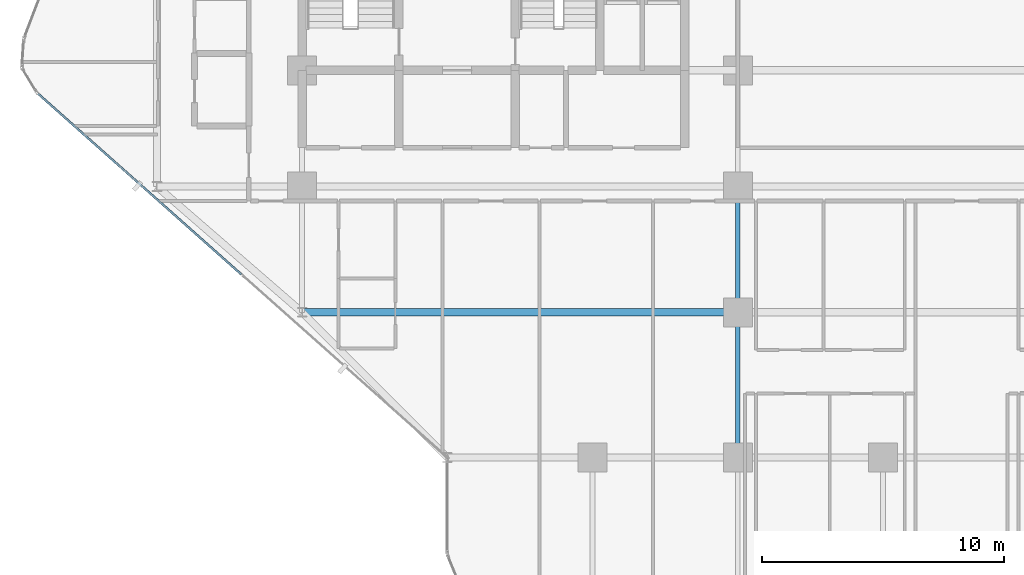
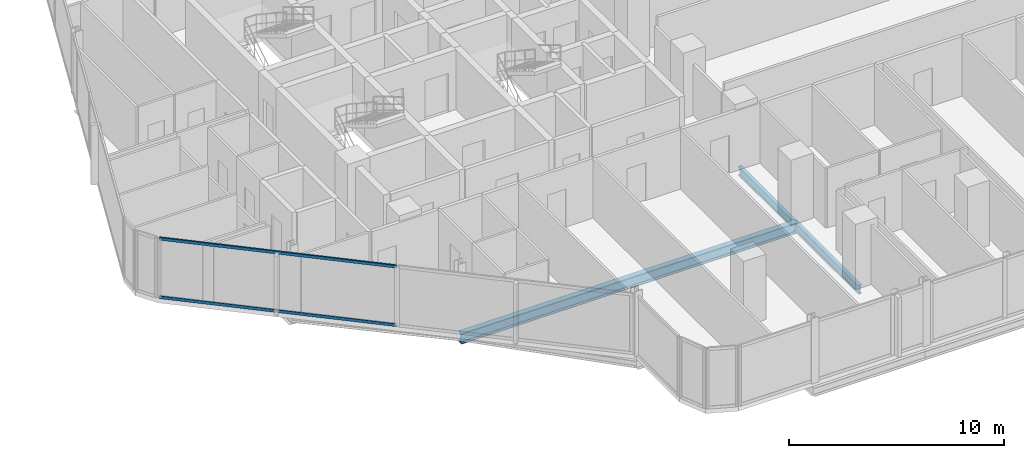
# One storey, part 5 of 34: 3 beams, 2 members, 1 element without a shape of its own.
"""IFC4 building model written with IfcOpenShell, lengths in metres."""

import ifcopenshell
import ifcopenshell.guid

model = None  # the IFC model being written
_history = None  # IfcOwnerHistory: only IFC2X3 demands one
_inside = {}  # id of a spatial element -> (the spatial element, [elements in it])
_under = {}  # id of a project, library or spatial element -> (it, [spatial elements below it])
_declared = {}  # id of a project -> (the project, [libraries it declares])
_typed = {}  # id of a type object -> (the type object, [elements of that type])
_made_of = {}  # id of a material, layer set ... -> (it, [elements and type objects made of it])


def new_model(schema):
    """Start an empty IFC model of exactly this schema.

    Asked for "IFC4X3", IfcOpenShell would pick the latest addendum, in which some entities
    have other attributes; the version numbers below select the first issue.
    IFC2X3 requires an IfcOwnerHistory on every rooted entity: one is made here for all.
    """
    global model, _history
    if schema == "IFC4X3":
        model = ifcopenshell.file(schema_version=(4, 3, 0, 0))
    else:
        model = ifcopenshell.file(schema=schema)
    _inside.clear()
    _under.clear()
    _declared.clear()
    _typed.clear()
    _made_of.clear()
    _history = None
    if model.schema == "IFC2X3":
        org = make("IfcOrganization", Name="unknown")
        user = make(
            "IfcPersonAndOrganization",
            ThePerson=make("IfcPerson", FamilyName="unknown"),
            TheOrganization=org,
        )
        app = make(
            "IfcApplication",
            ApplicationDeveloper=org,
            Version="unknown",
            ApplicationFullName="unknown",
            ApplicationIdentifier="unknown",
        )
        _history = make(
            "IfcOwnerHistory",
            OwningUser=user,
            OwningApplication=app,
            ChangeAction="ADDED",
            CreationDate=0,
        )
    return model


def make(cls, **values):
    """One entity of the class cls with the attributes given. An attribute that is None is left unset."""
    return model.create_entity(
        cls, **{name: value for name, value in values.items() if value is not None}
    )


def rooted(cls, **values):
    """An entity with a GlobalId (a new one), such as an element, a storey or a relation."""
    return make(cls, GlobalId=ifcopenshell.guid.new(), OwnerHistory=_history, **values)


def si_unit(unit_type, name, prefix=None):
    """IfcSIUnit, for example si_unit("LENGTHUNIT", "METRE", prefix="MILLI")."""
    return make("IfcSIUnit", UnitType=unit_type, Prefix=prefix, Name=name)


def assignment(units):
    """IfcUnitAssignment: the units of a project."""
    return None if units is None else make("IfcUnitAssignment", Units=units)


def point(xyz):
    """IfcCartesianPoint."""
    return None if xyz is None else make("IfcCartesianPoint", Coordinates=xyz)


def direction(xyz):
    """IfcDirection."""
    return None if xyz is None else make("IfcDirection", DirectionRatios=xyz)


def frame(location, z_axis=None, x_axis=None):
    """IfcAxis2Placement3D, a coordinate frame: its origin and axes. An axis left out is left unset."""
    return make(
        "IfcAxis2Placement3D",
        Location=point(location),
        Axis=direction(z_axis),
        RefDirection=direction(x_axis),
    )


def frame_2d(location, x_axis=None):
    """IfcAxis2Placement2D, a coordinate frame in the plane: its origin and x axis."""
    return make(
        "IfcAxis2Placement2D", Location=point(location), RefDirection=direction(x_axis)
    )


def origin():
    """The frame at (0, 0, 0) with its axes left unset."""
    return frame((0.0, 0.0, 0.0))


def origin_2d():
    """The frame at (0, 0) in the plane with its x axis left unset."""
    return frame_2d((0.0, 0.0))


def place(relative_to, where):
    """IfcLocalPlacement: puts the frame where relative to a parent placement (None: the world)."""
    return make(
        "IfcLocalPlacement", PlacementRelTo=relative_to, RelativePlacement=where
    )


def context(
    kind, dimensions, precision=None, world=None, true_north=None, identifier=None
):
    """IfcGeometricRepresentationContext, for example the 3D "Model" context."""
    return make(
        "IfcGeometricRepresentationContext",
        ContextIdentifier=identifier,
        ContextType=kind,
        CoordinateSpaceDimension=dimensions,
        Precision=precision,
        WorldCoordinateSystem=world,
        TrueNorth=true_north,
    )


def subcontext(parent, identifier, kind, view, scale=None):
    """IfcGeometricRepresentationSubContext, for example "Body" below "Model"."""
    return make(
        "IfcGeometricRepresentationSubContext",
        ContextIdentifier=identifier,
        ContextType=kind,
        ParentContext=parent,
        TargetScale=scale,
        TargetView=view,
    )


def project(units=None, contexts=None):
    """IfcProject with its units and contexts."""
    return rooted(
        "IfcProject",
        Name="project",
        RepresentationContexts=contexts,
        UnitsInContext=assignment(units),
    )


def spatial(cls, under=None, at=None, **own):
    """A site, building, storey or space (cls), placed at a placement, below another one or the project."""
    s = rooted(cls, ObjectPlacement=at, **own)
    if under is not None:
        _under.setdefault(under.id(), (under, []))[1].append(s)
    return s


def profile(cls, at=None, kind="AREA", **sizes):
    """A parametric profile (cls). Its sizes go by their IFC names, for example OverallWidth=200.0."""
    return make(cls, ProfileType=kind, Position=at, **sizes)


def hollow_rectangle(**sizes):
    """IfcRectangleHollowProfileDef."""
    return profile("IfcRectangleHollowProfileDef", **sizes)


def i_section(**sizes):
    """IfcIShapeProfileDef."""
    return profile("IfcIShapeProfileDef", **sizes)


def extrude(swept, where, along, depth):
    """IfcExtrudedAreaSolid: the profile swept, set in the frame where, extruded along a direction by depth."""
    return make(
        "IfcExtrudedAreaSolid",
        SweptArea=swept,
        Position=where,
        ExtrudedDirection=direction(along),
        Depth=depth,
    )


def shape(context_of_items, identifier, shape_type, items):
    """IfcShapeRepresentation: the items that make up one representation, for example the "Body"."""
    return make(
        "IfcShapeRepresentation",
        ContextOfItems=context_of_items,
        RepresentationIdentifier=identifier,
        RepresentationType=shape_type,
        Items=items,
    )


def material(Name=None, Category=None):
    """IfcMaterial."""
    return make("IfcMaterial", Name=Name, Category=Category)


def layer(
    of_material, thickness, ventilated=None, Name=None, Category=None, Priority=None
):
    """IfcMaterialLayer: one layer of a wall or slab, of a material (None: an air gap)."""
    return make(
        "IfcMaterialLayer",
        Material=of_material,
        LayerThickness=thickness,
        IsVentilated=ventilated,
        Name=Name,
        Category=Category,
        Priority=Priority,
    )


def layer_set(layers, Name=None):
    """IfcMaterialLayerSet."""
    return make("IfcMaterialLayerSet", MaterialLayers=layers, LayerSetName=Name)


def material_profile(
    of_material, cross_section, Name=None, Category=None, Priority=None
):
    """IfcMaterialProfile: a cross section and its material."""
    return make(
        "IfcMaterialProfile",
        Name=Name,
        Material=of_material,
        Profile=cross_section,
        Priority=Priority,
        Category=Category,
    )


def profile_set(profiles, Name=None, composite=None):
    """IfcMaterialProfileSet."""
    return make(
        "IfcMaterialProfileSet",
        Name=Name,
        MaterialProfiles=profiles,
        CompositeProfile=composite,
    )


def made_of(thing, what):
    """Note that an element or type object is made of a material, layer set ...; save() writes the relation."""
    if what is not None:
        _made_of.setdefault(what.id(), (what, []))[1].append(thing)
    return thing


def type_object(cls, material=None, **own):
    """A type object (cls), such as IfcWallType, which elements share."""
    return made_of(rooted(cls, **own), material)


def element(
    cls,
    number,
    at=None,
    inside=None,
    cuts=None,
    type_object=None,
    material=None,
    context=None,
    identifier="Body",
    shape_type=None,
    held_by="IfcProductDefinitionShape",
    body=None,
    shapes=None,
    **own,
):
    """One element of the class cls, such as IfcWall. Its Tag is "e" and its number.

    at: its placement. inside: the storey or other place that contains it. cuts: it is an
    opening in that element (IfcRelVoidsElement). A single representation is given by context,
    identifier, shape_type and body (its items); several are given by shapes. held_by: the class
    of the entity that holds the representations. save() writes the other relations.
    """
    e = rooted(cls, Tag="e%d" % number, ObjectPlacement=at, **own)
    if body is not None:
        shapes = [shape(context, identifier, shape_type, body)]
    if shapes is not None:
        e.Representation = make(held_by, Representations=shapes)
    if inside is not None:
        _inside.setdefault(inside.id(), (inside, []))[1].append(e)
    if cuts is not None:
        rooted(
            "IfcRelVoidsElement", RelatingBuildingElement=cuts, RelatedOpeningElement=e
        )
    if type_object is not None:
        _typed.setdefault(type_object.id(), (type_object, []))[1].append(e)
    return made_of(e, material)


def aggregate(whole, parts):
    """IfcRelAggregates: a whole, such as a stair, and the parts it consists of."""
    return rooted("IfcRelAggregates", RelatingObject=whole, RelatedObjects=parts)


def save(model, path):
    """Write the relations noted so far, then the file.

    IfcRelAggregates (storeys below a building ...), IfcRelContainedInSpatialStructure (elements
    in a storey), IfcRelDefinesByType, IfcRelAssociatesMaterial and IfcRelDeclares: one each for
    every whole, place, type object, material and project.
    """
    for whole, parts in _under.values():
        aggregate(whole, parts)
    for where, things in _inside.values():
        rooted(
            "IfcRelContainedInSpatialStructure",
            RelatedElements=things,
            RelatingStructure=where,
        )
    for kind, things in _typed.values():
        rooted("IfcRelDefinesByType", RelatedObjects=things, RelatingType=kind)
    for what, things in _made_of.values():
        rooted("IfcRelAssociatesMaterial", RelatedObjects=things, RelatingMaterial=what)
    for by, libraries in _declared.values():
        rooted("IfcRelDeclares", RelatingContext=by, RelatedDefinitions=libraries)
    model.write(path)


model = new_model("IFC4")

# Units and contexts
model_context = context("Model", 3, precision=1e-05, world=origin(), true_north=direction((0.0, 1.0)))
body_context = subcontext(model_context, "Body", "Model", "MODEL_VIEW")
ifc_project = project(units=[si_unit("LENGTHUNIT", "METRE"), si_unit("AREAUNIT", "SQUARE_METRE"), si_unit("VOLUMEUNIT", "CUBIC_METRE"), si_unit("PLANEANGLEUNIT", "RADIAN"), si_unit("MASSUNIT", "GRAM", prefix="KILO")], contexts=[model_context])

# Site, building, storey
site_placement = place(None, origin())
site = spatial("IfcSite", under=ifc_project, at=site_placement, CompositionType="ELEMENT")
building_placement = place(site_placement, origin())
building = spatial("IfcBuilding", under=site, at=building_placement, Name="Keshet Zoharim Tower", CompositionType="ELEMENT")
storey_placement = place(building_placement, frame((0.0, 0.0, 70.10009765625)))
storey = spatial("IfcBuildingStorey", under=building, at=storey_placement, Name="L16", CompositionType="ELEMENT", Elevation=70.10009765625)

# Beams
ifc_material_1 = material(Name="Steel S355", Category="steel")
ifc_material_profile_1 = material_profile(ifc_material_1, i_section(OverallWidth=0.300048828125, OverallDepth=0.60009765625, WebThickness=0.015380859375, FlangeThickness=0.030029296875, FilletRadius=0.027099609375, at=origin_2d()), Name="HEB600")
ifc_profile_set_1 = profile_set([ifc_material_profile_1], Name="Steel S355")
beam_type_1 = type_object("IfcBeamType", Name="BM-LNG-HB600", PredefinedType="BEAM", material=ifc_profile_set_1)
beam_1_placement = place(storey_placement, frame((15.0, 12.699951171875, -0.614990234375), z_axis=(1.0, 0.0, 0.0), x_axis=(0.0, 1.0, 0.0)))
element("IfcBeam", 1, at=beam_1_placement, inside=storey, type_object=beam_type_1, Name="L16 Primary Girder X-011", PredefinedType="BEAM", context=body_context, shape_type="SweptSolid", body=[
    extrude(i_section(OverallWidth=0.300048828125, OverallDepth=0.60009765625, WebThickness=0.015380859375, FlangeThickness=0.030029296875, FilletRadius=0.027099609375, at=origin_2d()), origin(), (0.0, 0.0, 1.0), 18.0),
])
ifc_material_profile_2 = material_profile(ifc_material_1, i_section(OverallWidth=0.199951171875, OverallDepth=0.5, WebThickness=0.01025390625, FlangeThickness=0.01611328125, FilletRadius=0.02099609375, at=origin_2d()), Name="IPE500")
ifc_profile_set_2 = profile_set([ifc_material_profile_2], Name="Steel S355")
beam_type_2 = type_object("IfcBeamType", Name="BM-PRI-IP500", PredefinedType="BEAM", material=ifc_profile_set_2)
beam_2_placement = place(storey_placement, frame((33.0, 6.699951171875, -0.565185546875), z_axis=(0.0, 1.0, 0.0), x_axis=(-1.0, 0.0, 0.0)))
element("IfcBeam", 2, at=beam_2_placement, inside=storey, type_object=beam_type_2, Name="L16 Primary Girder Y-006", PredefinedType="BEAM", context=body_context, shape_type="SweptSolid", body=[
    extrude(i_section(OverallWidth=0.199951171875, OverallDepth=0.5, WebThickness=0.01025390625, FlangeThickness=0.01611328125, FilletRadius=0.02099609375, at=origin_2d()), origin(), (0.0, 0.0, 1.0), 6.0),
])
beam_3_placement = place(storey_placement, frame((33.0, 12.699951171875, -0.565185546875), z_axis=(0.0, 1.0, 0.0), x_axis=(-1.0, 0.0, 0.0)))
element("IfcBeam", 3, at=beam_3_placement, inside=storey, type_object=beam_type_2, Name="L16 Primary Girder Y-007", PredefinedType="BEAM", context=body_context, shape_type="SweptSolid", body=[
    extrude(i_section(OverallWidth=0.199951171875, OverallDepth=0.5, WebThickness=0.01025390625, FlangeThickness=0.01611328125, FilletRadius=0.02099609375, at=origin_2d()), origin(), (0.0, 0.0, 1.0), 5.199951171875),
])

# Curtain wall, members
ifc_material_2 = material(Name="Aluminium 6063-T6", Category="aluminium")
ifc_layer = layer(ifc_material_2, 0.179931640625)
ifc_layer_set = layer_set([ifc_layer], Name="Aluminium 6063-T6")
curtain_wall_type = type_object("IfcCurtainWallType", Name="CW-SYS-01", PredefinedType="NOTDEFINED", material=ifc_layer_set)
curtain_wall_placement = place(storey_placement, origin())
curtain_wall = element("IfcCurtainWall", 4, at=curtain_wall_placement, inside=storey, type_object=curtain_wall_type, Name="L16 Unitised Curtain Wall 01", PredefinedType="NOTDEFINED")
ifc_material_profile_3 = material_profile(ifc_material_2, hollow_rectangle(XDim=0.0849609375, YDim=0.159912109375, WallThickness=0.00439453125, at=origin_2d()), Name="TRN-85x160")
ifc_profile_set_3 = profile_set([ifc_material_profile_3], Name="Aluminium 6063-T6")
member_type = type_object("IfcMemberType", Name="CWT-T16", PredefinedType="USERDEFINED", material=ifc_profile_set_3)
member_1_placement = place(storey_placement, frame((12.491455078125, 14.26318359375, 0.034912109375), z_axis=(-0.747411714548, 0.664361143472, 0.0), x_axis=(-0.664361143472, -0.747411714548, 0.0)))
member_1 = element("IfcMember", 5, at=member_1_placement, type_object=member_type, Name="CW-01 transom 2.1", ObjectType="TRANSOM", PredefinedType="USERDEFINED", context=body_context, shape_type="SweptSolid", body=[
    extrude(hollow_rectangle(XDim=0.0849609375, YDim=0.159912109375, WallThickness=0.00439453125, at=origin_2d()), origin(), (0.0, 0.0, 1.0), 11.244140625),
])
member_2_placement = place(storey_placement, frame((12.491455078125, 14.26318359375, 3.349853515625), z_axis=(-0.747411714548, 0.664361143472, 0.0), x_axis=(-0.664361143472, -0.747411714548, 0.0)))
member_2 = element("IfcMember", 6, at=member_2_placement, type_object=member_type, Name="CW-01 transom 2.2", ObjectType="TRANSOM", PredefinedType="USERDEFINED", context=body_context, shape_type="SweptSolid", body=[
    extrude(hollow_rectangle(XDim=0.0849609375, YDim=0.159912109375, WallThickness=0.00439453125, at=origin_2d()), origin(), (0.0, 0.0, 1.0), 11.244140625),
])
aggregate(curtain_wall, [member_1, member_2])

save(model, "model.ifc")
